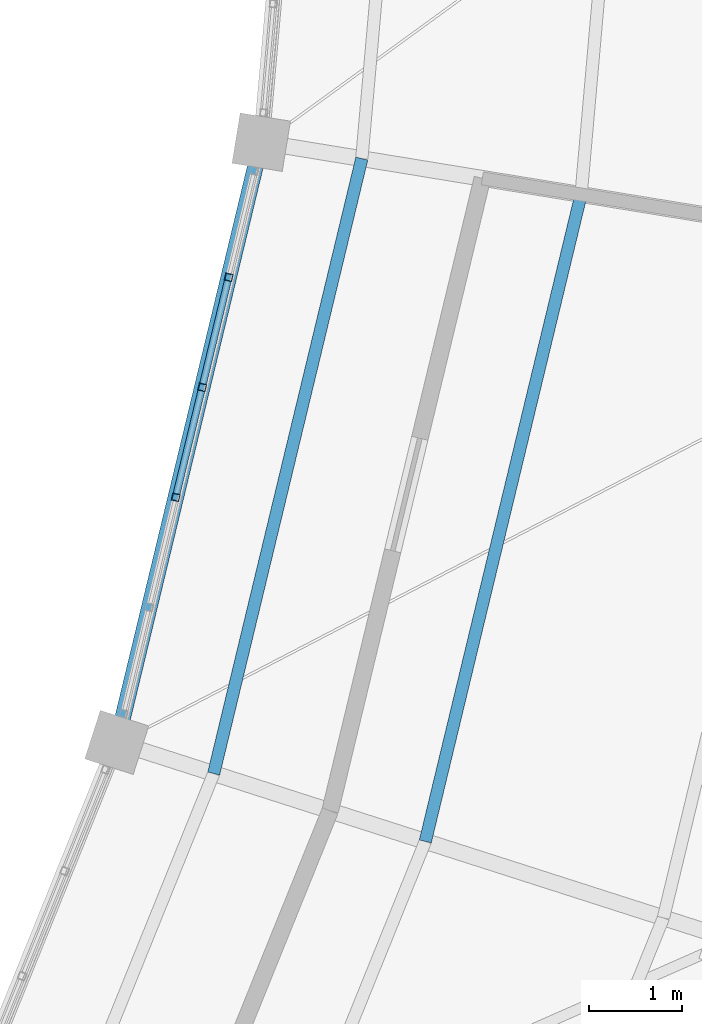
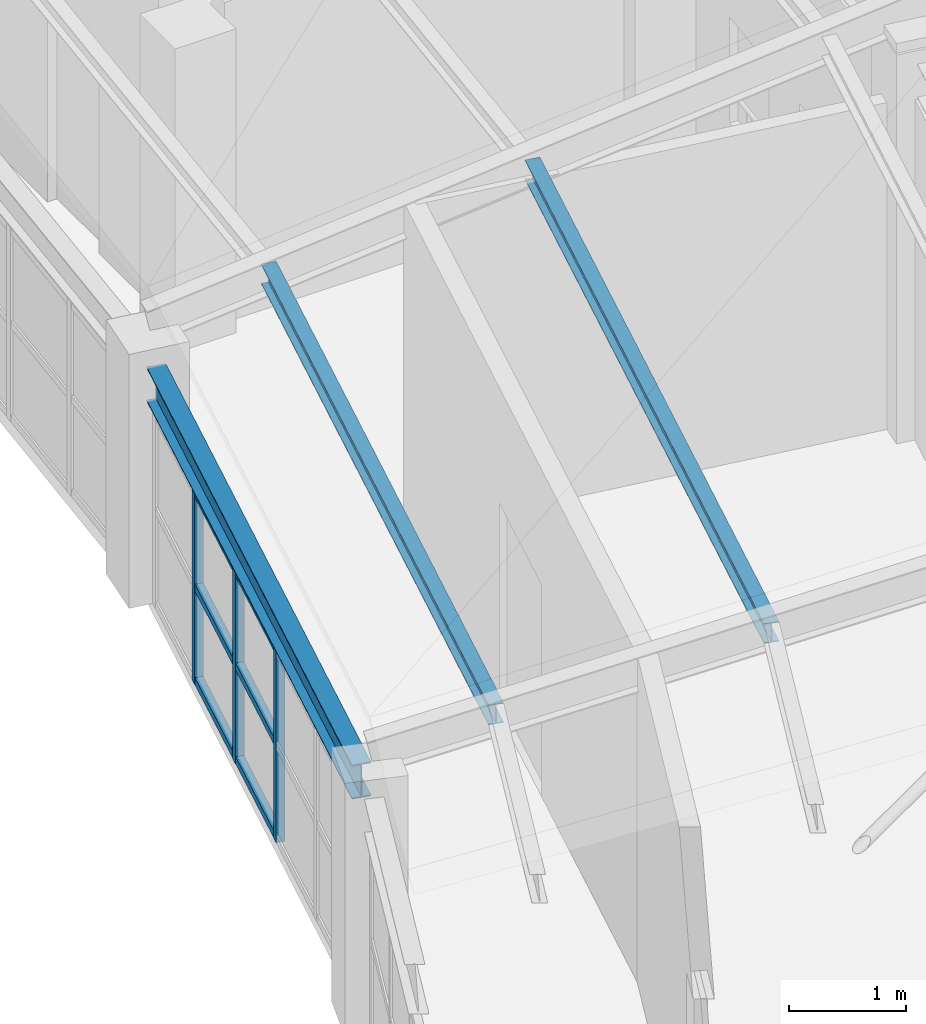
# One storey, part 90 of 149: 11 members, 1 beam, 1 element without a shape of its own.
"""IFC4 building model written with IfcOpenShell, lengths in metres."""

from ifc_helpers import new_model, si_unit, direction, frame, origin, origin_2d, place, context, subcontext, project, spatial, hollow_rectangle, i_section, extrude, material, material_profile, profile_set, type_object, element, aggregate, save


model = new_model("IFC4")

# Units and contexts
model_context = context("Model", 3, precision=1e-05, world=origin(), true_north=direction((0.0, 1.0)))
body_context = subcontext(model_context, "Body", "Model", "MODEL_VIEW")
ifc_project = project(units=[si_unit("LENGTHUNIT", "METRE"), si_unit("AREAUNIT", "SQUARE_METRE"), si_unit("VOLUMEUNIT", "CUBIC_METRE"), si_unit("PLANEANGLEUNIT", "RADIAN"), si_unit("MASSUNIT", "GRAM", prefix="KILO")], contexts=[model_context])

# Site, building, storey
site_placement = place(None, origin())
site = spatial("IfcSite", under=ifc_project, at=site_placement, CompositionType="ELEMENT")
building_placement = place(site_placement, origin())
building = spatial("IfcBuilding", under=site, at=building_placement, Name="Celadon Cloister-Ring School", CompositionType="ELEMENT")
storey_placement = place(building_placement, frame((0.0, 0.0, 12.5)))
storey = spatial("IfcBuildingStorey", under=building, at=storey_placement, Name="L03", CompositionType="ELEMENT", Elevation=12.5)

# Curtain wall, members
ifc_material_1 = material(Name="Aluminium EN AW-6063 T6", Category="aluminium")
curtain_wall_type = type_object("IfcCurtainWallType", Name="CW-02", PredefinedType="USERDEFINED", material=ifc_material_1)
curtain_wall_placement = place(storey_placement, origin())
curtain_wall = element("IfcCurtainWall", 1, at=curtain_wall_placement, inside=storey, type_object=curtain_wall_type, Name="Curtain Wall 0070", ObjectType="CURTAIN WALL", PredefinedType="USERDEFINED")
ifc_material_2 = material(Name="Aluminium EN AW-6063 T6", Category="aluminium")
ifc_material_profile_1 = material_profile(ifc_material_2, hollow_rectangle(XDim=0.080078125, YDim=0.080078125, WallThickness=0.00390625, at=origin_2d()), Name="RHS80X80X4")
ifc_profile_set_1 = profile_set([ifc_material_profile_1], Name="Aluminium EN AW-6063 T6")
member_type_1 = type_object("IfcMemberType", Name="CM-03", PredefinedType="MULLION", material=ifc_profile_set_1)
member_1_placement = place(storey_placement, frame((130.487060546875, 47.902587890625, 0.0), z_axis=(0.0, 0.0, 1.0), x_axis=(-0.972214668757, 0.234091088797, 0.0)))
member_1 = element("IfcMember", 2, at=member_1_placement, type_object=member_type_1, Name="CW-02 mullion 3", PredefinedType="MULLION", context=body_context, shape_type="SweptSolid", body=[
    extrude(hollow_rectangle(XDim=0.080078125, YDim=0.080078125, WallThickness=0.00390625, at=origin_2d()), origin(), (0.0, 0.0, 1.0), 2.02001953125),
])
member_2_placement = place(storey_placement, frame((130.77294921875, 49.09033203125, 0.0), z_axis=(0.0, 0.0, 1.0), x_axis=(-0.972214668757, 0.234091088797, 0.0)))
member_2 = element("IfcMember", 3, at=member_2_placement, type_object=member_type_1, Name="CW-02 mullion 4", PredefinedType="MULLION", context=body_context, shape_type="SweptSolid", body=[
    extrude(hollow_rectangle(XDim=0.080078125, YDim=0.080078125, WallThickness=0.00390625, at=origin_2d()), origin(), (0.0, 0.0, 1.0), 2.02001953125),
])
member_3_placement = place(storey_placement, frame((131.05908203125, 50.2783203125, 0.0), z_axis=(0.0, 0.0, 1.0), x_axis=(-0.972214668757, 0.234091088797, 0.0)))
member_3 = element("IfcMember", 4, at=member_3_placement, type_object=member_type_1, Name="CW-02 mullion 5", PredefinedType="MULLION", context=body_context, shape_type="SweptSolid", body=[
    extrude(hollow_rectangle(XDim=0.080078125, YDim=0.080078125, WallThickness=0.00390625, at=origin_2d()), origin(), (0.0, 0.0, 1.0), 2.02001953125),
])
ifc_material_3 = material(Name="Aluminium EN AW-6063 T6", Category="aluminium")
ifc_material_profile_2 = material_profile(ifc_material_3, hollow_rectangle(XDim=0.074951171875, YDim=0.074951171875, WallThickness=0.00390625, at=origin_2d()), Name="RHS75X75X4")
ifc_profile_set_2 = profile_set([ifc_material_profile_2], Name="Aluminium EN AW-6063 T6")
member_type_2 = type_object("IfcMemberType", Name="CTM-03", PredefinedType="USERDEFINED", material=ifc_profile_set_2)
member_4_placement = place(storey_placement, frame((130.496337890625, 47.94140625, 0.03759765625), z_axis=(0.234124947145, 0.972206515677, 0.0), x_axis=(-0.972206515677, 0.234124947145, 0.0)))
member_4 = element("IfcMember", 5, at=member_4_placement, type_object=member_type_2, Name="CW-02 transom 3.1", ObjectType="TRANSOM", PredefinedType="USERDEFINED", context=body_context, shape_type="SweptSolid", body=[
    extrude(hollow_rectangle(XDim=0.074951171875, YDim=0.074951171875, WallThickness=0.00390625, at=origin_2d()), origin(), (0.0, 0.0, 1.0), 1.141845703125),
])
member_5_placement = place(storey_placement, frame((130.496337890625, 47.94140625, 1.010009765625), z_axis=(0.234124947145, 0.972206515677, 0.0), x_axis=(-0.972206515677, 0.234124947145, 0.0)))
member_5 = element("IfcMember", 6, at=member_5_placement, type_object=member_type_2, Name="CW-02 transom 3.2", ObjectType="TRANSOM", PredefinedType="USERDEFINED", context=body_context, shape_type="SweptSolid", body=[
    extrude(hollow_rectangle(XDim=0.074951171875, YDim=0.074951171875, WallThickness=0.00390625, at=origin_2d()), origin(), (0.0, 0.0, 1.0), 1.141845703125),
])
member_6_placement = place(storey_placement, frame((130.496337890625, 47.94140625, 1.982421875), z_axis=(0.234124947145, 0.972206515677, 0.0), x_axis=(-0.972206515677, 0.234124947145, 0.0)))
member_6 = element("IfcMember", 7, at=member_6_placement, type_object=member_type_2, Name="CW-02 transom 3.3", ObjectType="TRANSOM", PredefinedType="USERDEFINED", context=body_context, shape_type="SweptSolid", body=[
    extrude(hollow_rectangle(XDim=0.074951171875, YDim=0.074951171875, WallThickness=0.00390625, at=origin_2d()), origin(), (0.0, 0.0, 1.0), 1.141845703125),
])
member_7_placement = place(storey_placement, frame((130.782470703125, 49.12939453125, 0.03759765625), z_axis=(0.23397147953, 0.972243460645, 0.0), x_axis=(-0.972243460645, 0.23397147953, 0.0)))
member_7 = element("IfcMember", 8, at=member_7_placement, type_object=member_type_2, Name="CW-02 transom 4.1", ObjectType="TRANSOM", PredefinedType="USERDEFINED", context=body_context, shape_type="SweptSolid", body=[
    extrude(hollow_rectangle(XDim=0.074951171875, YDim=0.074951171875, WallThickness=0.00390625, at=origin_2d()), origin(), (0.0, 0.0, 1.0), 1.1416015625),
])
member_8_placement = place(storey_placement, frame((130.782470703125, 49.12939453125, 1.010009765625), z_axis=(0.23397147953, 0.972243460645, 0.0), x_axis=(-0.972243460645, 0.23397147953, 0.0)))
member_8 = element("IfcMember", 9, at=member_8_placement, type_object=member_type_2, Name="CW-02 transom 4.2", ObjectType="TRANSOM", PredefinedType="USERDEFINED", context=body_context, shape_type="SweptSolid", body=[
    extrude(hollow_rectangle(XDim=0.074951171875, YDim=0.074951171875, WallThickness=0.00390625, at=origin_2d()), origin(), (0.0, 0.0, 1.0), 1.1416015625),
])
member_9_placement = place(storey_placement, frame((130.782470703125, 49.12939453125, 1.982421875), z_axis=(0.23397147953, 0.972243460645, 0.0), x_axis=(-0.972243460645, 0.23397147953, 0.0)))
member_9 = element("IfcMember", 10, at=member_9_placement, type_object=member_type_2, Name="CW-02 transom 4.3", ObjectType="TRANSOM", PredefinedType="USERDEFINED", context=body_context, shape_type="SweptSolid", body=[
    extrude(hollow_rectangle(XDim=0.074951171875, YDim=0.074951171875, WallThickness=0.00390625, at=origin_2d()), origin(), (0.0, 0.0, 1.0), 1.1416015625),
])
aggregate(curtain_wall, [member_1, member_2, member_3, member_4, member_5, member_6, member_7, member_8, member_9])

# Beam
ifc_material_4 = material(Name="Structural steel S355JR", Category="steel")
ifc_material_profile_3 = material_profile(ifc_material_4, i_section(OverallWidth=0.1708984375, OverallDepth=0.35498046875, WebThickness=0.007080078125, FlangeThickness=0.01171875, at=origin_2d()), Name="W360X51")
ifc_profile_set_3 = profile_set([ifc_material_profile_3], Name="Structural steel S355JR")
beam_type = type_object("IfcBeamType", Name="GT-08", PredefinedType="USERDEFINED", material=ifc_profile_set_3)
beam_placement = place(storey_placement, frame((129.908935546875, 45.4990234375, 2.27197265625), z_axis=(0.233889575607, 0.972263167266, 0.0), x_axis=(-0.972263167266, 0.233889575607, 0.0)))
element("IfcBeam", 11, at=beam_placement, inside=storey, type_object=beam_type, Name="Beam 0574", ObjectType="GIRDER", PredefinedType="USERDEFINED", context=body_context, shape_type="SweptSolid", body=[
    extrude(i_section(OverallWidth=0.1708984375, OverallDepth=0.35498046875, WebThickness=0.007080078125, FlangeThickness=0.01171875, at=origin_2d()), origin(), (0.0, 0.0, 1.0), 6.166015625),
])

# Members
ifc_material_5 = material(Name="Structural steel S355JR", Category="steel")
ifc_material_profile_4 = material_profile(ifc_material_5, i_section(OverallWidth=0.133056640625, OverallDepth=0.20703125, WebThickness=0.005859375, FlangeThickness=0.00830078125, at=origin_2d()), Name="W200X27")
ifc_profile_set_4 = profile_set([ifc_material_profile_4], Name="Structural steel S355JR")
member_type_3 = type_object("IfcMemberType", Name="MP-04", PredefinedType="PURLIN", material=ifc_profile_set_4)
member_10_placement = place(storey_placement, frame((130.89697265625, 44.919921875, 2.970947265625), z_axis=(0.234132674764, 0.972204654693, 0.0), x_axis=(-0.972204654693, 0.234132674764, 0.0)))
element("IfcMember", 12, at=member_10_placement, inside=storey, type_object=member_type_3, Name="Structural Member 0211", PredefinedType="PURLIN", context=body_context, shape_type="SweptSolid", body=[
    extrude(i_section(OverallWidth=0.133056640625, OverallDepth=0.20703125, WebThickness=0.005859375, FlangeThickness=0.00830078125, at=origin_2d()), origin(), (0.0, 0.0, 1.0), 6.830078125),
])
member_11_placement = place(storey_placement, frame((133.181884765625, 44.18701171875, 3.4599609375), z_axis=(0.234123428499, 0.972206881393, 0.0), x_axis=(-0.972206881393, 0.234123428499, 0.0)))
element("IfcMember", 13, at=member_11_placement, inside=storey, type_object=member_type_3, Name="Structural Member 0212", PredefinedType="PURLIN", context=body_context, shape_type="SweptSolid", body=[
    extrude(i_section(OverallWidth=0.133056640625, OverallDepth=0.20703125, WebThickness=0.005859375, FlangeThickness=0.00830078125, at=origin_2d()), origin(), (0.0, 0.0, 1.0), 7.184814453125),
])

save(model, "model.ifc")
